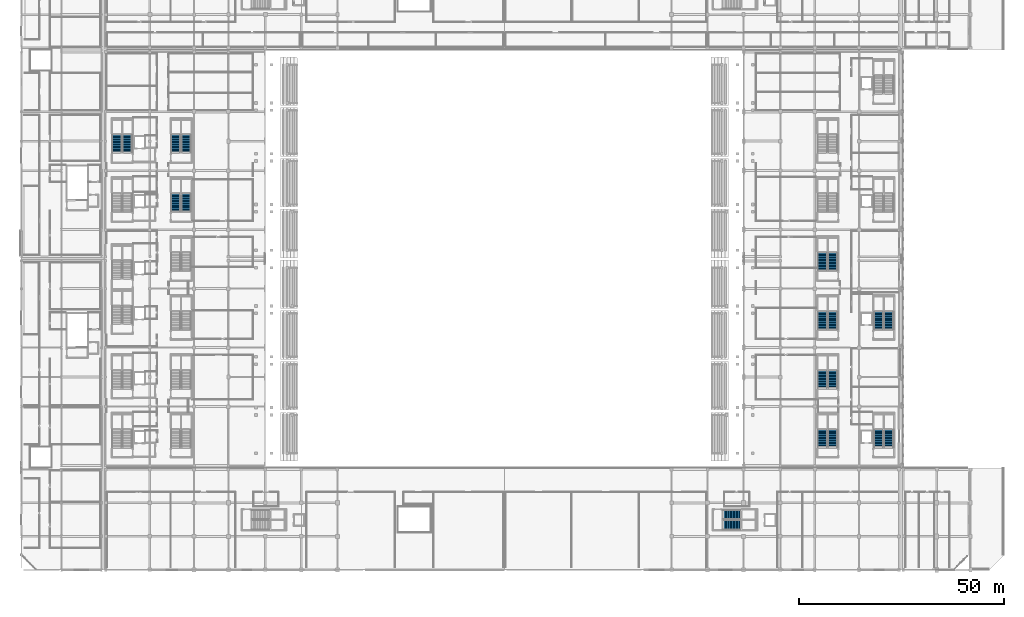
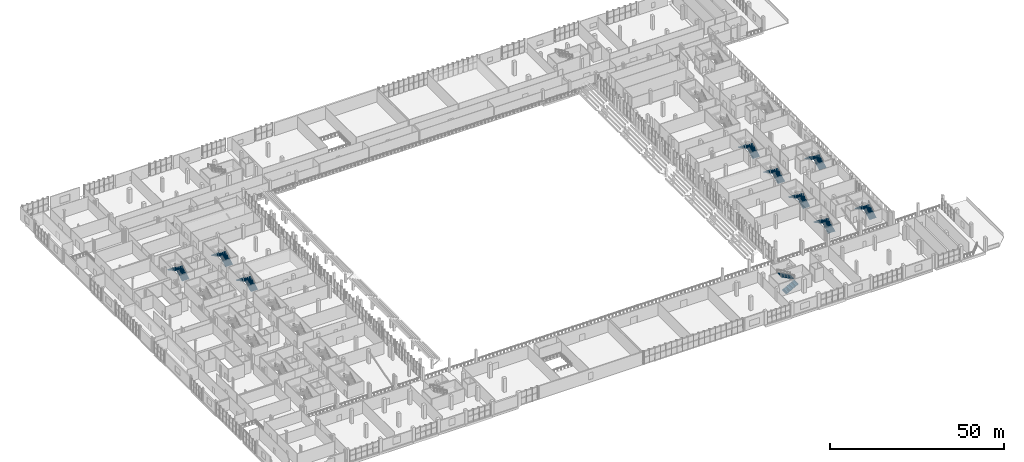
# One storey, part 107 of 142: 20 stair flights, 10 elements without a shape of their own.
"""IFC4 building model written with IfcOpenShell, lengths in metres."""

from ifc_helpers import new_model, si_unit, direction, frame, origin, place, context, subcontext, project, spatial, polyline, outline, extrude, material, type_object, element, aggregate, save


model = new_model("IFC4")

# Units and contexts
model_context = context("Model", 3, precision=1e-05, world=origin(), true_north=direction((0.0, 1.0)))
body_context = subcontext(model_context, "Body", "Model", "MODEL_VIEW")
ifc_project = project(units=[si_unit("LENGTHUNIT", "METRE"), si_unit("AREAUNIT", "SQUARE_METRE"), si_unit("VOLUMEUNIT", "CUBIC_METRE"), si_unit("PLANEANGLEUNIT", "RADIAN"), si_unit("MASSUNIT", "GRAM", prefix="KILO")], contexts=[model_context])

# Site, building, storey
site_placement = place(None, origin())
site = spatial("IfcSite", under=ifc_project, at=site_placement, CompositionType="ELEMENT")
building_placement = place(site_placement, origin())
building = spatial("IfcBuilding", under=site, at=building_placement, Name="Koshinbarg Plaza Stadium", CompositionType="ELEMENT")
storey_placement = place(building_placement, frame((0.0, 0.0, 10.199951171875)))
storey = spatial("IfcBuildingStorey", under=building, at=storey_placement, Name="L02", CompositionType="ELEMENT", Elevation=10.199951171875)

# Stair, stair flights
ifc_material = material(Name="Concrete C35/45", Category="concrete")
stair_type_1 = type_object("IfcStairType", Name="ST-CORE-48", PredefinedType="HALF_TURN_STAIR", material=ifc_material)
stair_1_placement = place(storey_placement, origin())
stair_1 = element("IfcStair", 1, at=stair_1_placement, inside=storey, type_object=stair_type_1, Name="L02 Protected Exit Stair C06", PredefinedType="HALF_TURN_STAIR")
stair_flight_type = type_object("IfcStairFlightType", Name="SFL-CORE-48", PredefinedType="STRAIGHT", material=ifc_material)
stair_flight_1_placement = place(storey_placement, frame((29.889892578125, 101.9599609375, 0.0), z_axis=(0.0, 0.0, 1.0), x_axis=(0.0, 1.0, 0.0)))
stair_flight_1 = element("IfcStairFlight", 2, at=stair_flight_1_placement, type_object=stair_flight_type, Name="L02 Protected Exit Stair C06 flight 065", NumberOfRisers=15, NumberOfTreads=14, PredefinedType="STRAIGHT", RiserHeight=0.16, TreadLength=0.3, context=body_context, shape_type="SweptSolid", body=[
    extrude(outline(polyline([(0.0, 0.0), (0.0, 0.159912109375), (0.300048828125, 0.159912109375), (0.300048828125, 0.320068359375), (0.60009765625, 0.320068359375), (0.60009765625, 0.47998046875), (0.89990234375, 0.47998046875), (0.89990234375, 0.639892578125), (1.199951171875, 0.639892578125), (1.199951171875, 0.800048828125), (1.5, 0.800048828125), (1.5, 0.9599609375), (1.800048828125, 0.9599609375), (1.800048828125, 1.1201171875), (2.10009765625, 1.1201171875), (2.10009765625, 1.280029296875), (2.39990234375, 1.280029296875), (2.39990234375, 1.43994140625), (2.699951171875, 1.43994140625), (2.699951171875, 1.60009765625), (3.0, 1.60009765625), (3.0, 1.760009765625), (3.300048828125, 1.760009765625), (3.300048828125, 1.919921875), (3.60009765625, 1.919921875), (3.60009765625, 2.080078125), (3.89990234375, 2.080078125), (3.89990234375, 2.239990234375), (4.199951171875, 2.239990234375), (4.199951171875, 2.39990234375), (4.199951171875, 2.070068359375), (0.318603515625, 0.0), (0.0, 0.0)])), frame((0.0, 1.18017578125, 0.0), z_axis=(0.0, -1.0, 0.0), x_axis=(1.0, 0.0, 0.0)), (0.0, 0.0, 1.0), 2.360107421875),
])
stair_flight_2_placement = place(storey_placement, frame((27.3798828125, 106.159912109375, 2.400146484375), z_axis=(0.0, 0.0, 1.0), x_axis=(0.0, -1.0, 0.0)))
stair_flight_2 = element("IfcStairFlight", 3, at=stair_flight_2_placement, type_object=stair_flight_type, Name="L02 Protected Exit Stair C06 flight 066", NumberOfRisers=15, NumberOfTreads=14, PredefinedType="STRAIGHT", RiserHeight=0.16, TreadLength=0.3, context=body_context, shape_type="SweptSolid", body=[
    extrude(outline(polyline([(0.0, 0.0), (0.0, 0.159912109375), (0.300048828125, 0.159912109375), (0.300048828125, 0.320068359375), (0.60009765625, 0.320068359375), (0.60009765625, 0.47998046875), (0.89990234375, 0.47998046875), (0.89990234375, 0.639892578125), (1.199951171875, 0.639892578125), (1.199951171875, 0.800048828125), (1.5, 0.800048828125), (1.5, 0.9599609375), (1.800048828125, 0.9599609375), (1.800048828125, 1.1201171875), (2.10009765625, 1.1201171875), (2.10009765625, 1.280029296875), (2.39990234375, 1.280029296875), (2.39990234375, 1.43994140625), (2.699951171875, 1.43994140625), (2.699951171875, 1.60009765625), (3.0, 1.60009765625), (3.0, 1.760009765625), (3.300048828125, 1.760009765625), (3.300048828125, 1.919921875), (3.60009765625, 1.919921875), (3.60009765625, 2.080078125), (3.89990234375, 2.080078125), (3.89990234375, 2.239990234375), (4.199951171875, 2.239990234375), (4.199951171875, 2.39990234375), (4.199951171875, 2.070068359375), (0.318603515625, 0.0), (0.0, 0.0)])), frame((0.0, 1.18017578125, 0.0), z_axis=(0.0, -1.0, 0.0), x_axis=(1.0, 0.0, 0.0)), (0.0, 0.0, 1.0), 2.360107421875),
])
aggregate(stair_1, [stair_flight_1, stair_flight_2])

stair_2_placement = place(storey_placement, origin())
stair_2 = element("IfcStair", 4, at=stair_2_placement, inside=storey, type_object=stair_type_1, Name="L02 Protected Exit Stair C07", PredefinedType="HALF_TURN_STAIR")
stair_flight_3_placement = place(storey_placement, frame((215.889892578125, 29.9599609375, 0.0), z_axis=(0.0, 0.0, 1.0), x_axis=(0.0, 1.0, 0.0)))
stair_flight_3 = element("IfcStairFlight", 5, at=stair_flight_3_placement, type_object=stair_flight_type, Name="L02 Protected Exit Stair C07 flight 077", NumberOfRisers=15, NumberOfTreads=14, PredefinedType="STRAIGHT", RiserHeight=0.16, TreadLength=0.3, context=body_context, shape_type="SweptSolid", body=[
    extrude(outline(polyline([(0.0, 0.0), (0.0, 0.159912109375), (0.300048828125, 0.159912109375), (0.300048828125, 0.320068359375), (0.60009765625, 0.320068359375), (0.60009765625, 0.47998046875), (0.89990234375, 0.47998046875), (0.89990234375, 0.639892578125), (1.199951171875, 0.639892578125), (1.199951171875, 0.800048828125), (1.5, 0.800048828125), (1.5, 0.9599609375), (1.800048828125, 0.9599609375), (1.800048828125, 1.1201171875), (2.10009765625, 1.1201171875), (2.10009765625, 1.280029296875), (2.39990234375, 1.280029296875), (2.39990234375, 1.43994140625), (2.699951171875, 1.43994140625), (2.699951171875, 1.60009765625), (3.0, 1.60009765625), (3.0, 1.760009765625), (3.300048828125, 1.760009765625), (3.300048828125, 1.919921875), (3.60009765625, 1.919921875), (3.60009765625, 2.080078125), (3.89990234375, 2.080078125), (3.89990234375, 2.239990234375), (4.199951171875, 2.239990234375), (4.199951171875, 2.39990234375), (4.199951171875, 2.070068359375), (0.318603515625, 0.0), (0.0, 0.0)])), frame((0.0, 1.18017578125, 0.0), z_axis=(0.0, -1.0, 0.0), x_axis=(1.0, 0.0, 0.0)), (0.0, 0.0, 1.0), 2.360107421875),
])
stair_flight_4_placement = place(storey_placement, frame((213.3798828125, 34.159912109375, 2.400146484375), z_axis=(0.0, 0.0, 1.0), x_axis=(0.0, -1.0, 0.0)))
stair_flight_4 = element("IfcStairFlight", 6, at=stair_flight_4_placement, type_object=stair_flight_type, Name="L02 Protected Exit Stair C07 flight 078", NumberOfRisers=15, NumberOfTreads=14, PredefinedType="STRAIGHT", RiserHeight=0.16, TreadLength=0.3, context=body_context, shape_type="SweptSolid", body=[
    extrude(outline(polyline([(0.0, 0.0), (0.0, 0.159912109375), (0.300048828125, 0.159912109375), (0.300048828125, 0.320068359375), (0.60009765625, 0.320068359375), (0.60009765625, 0.47998046875), (0.89990234375, 0.47998046875), (0.89990234375, 0.639892578125), (1.199951171875, 0.639892578125), (1.199951171875, 0.800048828125), (1.5, 0.800048828125), (1.5, 0.9599609375), (1.800048828125, 0.9599609375), (1.800048828125, 1.1201171875), (2.10009765625, 1.1201171875), (2.10009765625, 1.280029296875), (2.39990234375, 1.280029296875), (2.39990234375, 1.43994140625), (2.699951171875, 1.43994140625), (2.699951171875, 1.60009765625), (3.0, 1.60009765625), (3.0, 1.760009765625), (3.300048828125, 1.760009765625), (3.300048828125, 1.919921875), (3.60009765625, 1.919921875), (3.60009765625, 2.080078125), (3.89990234375, 2.080078125), (3.89990234375, 2.239990234375), (4.199951171875, 2.239990234375), (4.199951171875, 2.39990234375), (4.199951171875, 2.070068359375), (0.318603515625, 0.0), (0.0, 0.0)])), frame((0.0, 1.18017578125, 0.0), z_axis=(0.0, -1.0, 0.0), x_axis=(1.0, 0.0, 0.0)), (0.0, 0.0, 1.0), 2.360107421875),
])
aggregate(stair_2, [stair_flight_3, stair_flight_4])

stair_3_placement = place(storey_placement, origin())
stair_3 = element("IfcStair", 7, at=stair_3_placement, inside=storey, type_object=stair_type_1, Name="L02 Protected Exit Stair C08", PredefinedType="HALF_TURN_STAIR")
stair_flight_5_placement = place(storey_placement, frame((215.889892578125, 58.760009765625, 0.0), z_axis=(0.0, 0.0, 1.0), x_axis=(0.0, 1.0, 0.0)))
stair_flight_5 = element("IfcStairFlight", 8, at=stair_flight_5_placement, type_object=stair_flight_type, Name="L02 Protected Exit Stair C08 flight 087", NumberOfRisers=15, NumberOfTreads=14, PredefinedType="STRAIGHT", RiserHeight=0.16, TreadLength=0.3, context=body_context, shape_type="SweptSolid", body=[
    extrude(outline(polyline([(0.0, 0.0), (0.0, 0.159912109375), (0.300048828125, 0.159912109375), (0.300048828125, 0.320068359375), (0.60009765625, 0.320068359375), (0.60009765625, 0.47998046875), (0.89990234375, 0.47998046875), (0.89990234375, 0.639892578125), (1.199951171875, 0.639892578125), (1.199951171875, 0.800048828125), (1.5, 0.800048828125), (1.5, 0.9599609375), (1.800048828125, 0.9599609375), (1.800048828125, 1.1201171875), (2.10009765625, 1.1201171875), (2.10009765625, 1.280029296875), (2.39990234375, 1.280029296875), (2.39990234375, 1.43994140625), (2.699951171875, 1.43994140625), (2.699951171875, 1.60009765625), (3.0, 1.60009765625), (3.0, 1.760009765625), (3.300048828125, 1.760009765625), (3.300048828125, 1.919921875), (3.60009765625, 1.919921875), (3.60009765625, 2.080078125), (3.89990234375, 2.080078125), (3.89990234375, 2.239990234375), (4.199951171875, 2.239990234375), (4.199951171875, 2.39990234375), (4.199951171875, 2.070068359375), (0.318603515625, 0.0), (0.0, 0.0)])), frame((0.0, 1.18017578125, 0.0), z_axis=(0.0, -1.0, 0.0), x_axis=(1.0, 0.0, 0.0)), (0.0, 0.0, 1.0), 2.360107421875),
])
stair_flight_6_placement = place(storey_placement, frame((213.3798828125, 62.9599609375, 2.400146484375), z_axis=(0.0, 0.0, 1.0), x_axis=(0.0, -1.0, 0.0)))
stair_flight_6 = element("IfcStairFlight", 9, at=stair_flight_6_placement, type_object=stair_flight_type, Name="L02 Protected Exit Stair C08 flight 088", NumberOfRisers=15, NumberOfTreads=14, PredefinedType="STRAIGHT", RiserHeight=0.16, TreadLength=0.3, context=body_context, shape_type="SweptSolid", body=[
    extrude(outline(polyline([(0.0, 0.0), (0.0, 0.159912109375), (0.300048828125, 0.159912109375), (0.300048828125, 0.320068359375), (0.60009765625, 0.320068359375), (0.60009765625, 0.47998046875), (0.89990234375, 0.47998046875), (0.89990234375, 0.639892578125), (1.199951171875, 0.639892578125), (1.199951171875, 0.800048828125), (1.5, 0.800048828125), (1.5, 0.9599609375), (1.800048828125, 0.9599609375), (1.800048828125, 1.1201171875), (2.10009765625, 1.1201171875), (2.10009765625, 1.280029296875), (2.39990234375, 1.280029296875), (2.39990234375, 1.43994140625), (2.699951171875, 1.43994140625), (2.699951171875, 1.60009765625), (3.0, 1.60009765625), (3.0, 1.760009765625), (3.300048828125, 1.760009765625), (3.300048828125, 1.919921875), (3.60009765625, 1.919921875), (3.60009765625, 2.080078125), (3.89990234375, 2.080078125), (3.89990234375, 2.239990234375), (4.199951171875, 2.239990234375), (4.199951171875, 2.39990234375), (4.199951171875, 2.070068359375), (0.318603515625, 0.0), (0.0, 0.0)])), frame((0.0, 1.18017578125, 0.0), z_axis=(0.0, -1.0, 0.0), x_axis=(1.0, 0.0, 0.0)), (0.0, 0.0, 1.0), 2.360107421875),
])
aggregate(stair_3, [stair_flight_5, stair_flight_6])

stair_4_placement = place(storey_placement, origin())
stair_4 = element("IfcStair", 10, at=stair_4_placement, inside=storey, type_object=stair_type_1, Name="L02 Protected Exit Stair C14", PredefinedType="HALF_TURN_STAIR")
stair_flight_7_placement = place(storey_placement, frame((175.360107421875, 10.97998046875, 0.0), z_axis=(0.0, 0.0, 1.0), x_axis=(1.0, 0.0, 0.0)))
stair_flight_7 = element("IfcStairFlight", 11, at=stair_flight_7_placement, type_object=stair_flight_type, Name="L02 Protected Exit Stair C14 flight 137", NumberOfRisers=15, NumberOfTreads=14, PredefinedType="STRAIGHT", RiserHeight=0.16, TreadLength=0.3, context=body_context, shape_type="SweptSolid", body=[
    extrude(outline(polyline([(0.0, 0.0), (0.0, 0.159912109375), (0.300048828125, 0.159912109375), (0.300048828125, 0.320068359375), (0.60009765625, 0.320068359375), (0.60009765625, 0.47998046875), (0.89990234375, 0.47998046875), (0.89990234375, 0.639892578125), (1.199951171875, 0.639892578125), (1.199951171875, 0.800048828125), (1.5, 0.800048828125), (1.5, 0.9599609375), (1.800048828125, 0.9599609375), (1.800048828125, 1.1201171875), (2.10009765625, 1.1201171875), (2.10009765625, 1.280029296875), (2.39990234375, 1.280029296875), (2.39990234375, 1.43994140625), (2.699951171875, 1.43994140625), (2.699951171875, 1.60009765625), (3.0, 1.60009765625), (3.0, 1.760009765625), (3.300048828125, 1.760009765625), (3.300048828125, 1.919921875), (3.60009765625, 1.919921875), (3.60009765625, 2.080078125), (3.89990234375, 2.080078125), (3.89990234375, 2.239990234375), (4.199951171875, 2.239990234375), (4.199951171875, 2.39990234375), (4.199951171875, 2.070068359375), (0.318603515625, 0.0), (0.0, 0.0)])), frame((0.0, 1.18017578125, 0.0), z_axis=(0.0, -1.0, 0.0), x_axis=(1.0, 0.0, 0.0)), (0.0, 0.0, 1.0), 2.360107421875),
])
stair_flight_8_placement = place(storey_placement, frame((179.56005859375, 13.489990234375, 2.400146484375), z_axis=(0.0, 0.0, 1.0), x_axis=(-1.0, 0.0, 0.0)))
stair_flight_8 = element("IfcStairFlight", 12, at=stair_flight_8_placement, type_object=stair_flight_type, Name="L02 Protected Exit Stair C14 flight 138", NumberOfRisers=15, NumberOfTreads=14, PredefinedType="STRAIGHT", RiserHeight=0.16, TreadLength=0.3, context=body_context, shape_type="SweptSolid", body=[
    extrude(outline(polyline([(0.0, 0.0), (0.0, 0.159912109375), (0.300048828125, 0.159912109375), (0.300048828125, 0.320068359375), (0.60009765625, 0.320068359375), (0.60009765625, 0.47998046875), (0.89990234375, 0.47998046875), (0.89990234375, 0.639892578125), (1.199951171875, 0.639892578125), (1.199951171875, 0.800048828125), (1.5, 0.800048828125), (1.5, 0.9599609375), (1.800048828125, 0.9599609375), (1.800048828125, 1.1201171875), (2.10009765625, 1.1201171875), (2.10009765625, 1.280029296875), (2.39990234375, 1.280029296875), (2.39990234375, 1.43994140625), (2.699951171875, 1.43994140625), (2.699951171875, 1.60009765625), (3.0, 1.60009765625), (3.0, 1.760009765625), (3.300048828125, 1.760009765625), (3.300048828125, 1.919921875), (3.60009765625, 1.919921875), (3.60009765625, 2.080078125), (3.89990234375, 2.080078125), (3.89990234375, 2.239990234375), (4.199951171875, 2.239990234375), (4.199951171875, 2.39990234375), (4.199951171875, 2.070068359375), (0.318603515625, 0.0), (0.0, 0.0)])), frame((0.0, 1.18017578125, 0.0), z_axis=(0.0, -1.0, 0.0), x_axis=(1.0, 0.0, 0.0)), (0.0, 0.0, 1.0), 2.360107421875),
])
aggregate(stair_4, [stair_flight_7, stair_flight_8])

stair_type_2 = type_object("IfcStairType", Name="ST-VOM-48", PredefinedType="HALF_TURN_STAIR", material=ifc_material)
stair_5_placement = place(storey_placement, origin())
stair_5 = element("IfcStair", 13, at=stair_5_placement, inside=storey, type_object=stair_type_2, Name="L02 Upper Vomitory Stair VX05", PredefinedType="HALF_TURN_STAIR")
stair_flight_9_placement = place(storey_placement, frame((44.2900390625, 87.56005859375, 0.0), z_axis=(0.0, 0.0, 1.0), x_axis=(0.0, 1.0, 0.0)))
stair_flight_9 = element("IfcStairFlight", 14, at=stair_flight_9_placement, type_object=stair_flight_type, Name="L02 Upper Vomitory Stair VX05 flight 177", NumberOfRisers=15, NumberOfTreads=14, PredefinedType="STRAIGHT", RiserHeight=0.16, TreadLength=0.3, context=body_context, shape_type="SweptSolid", body=[
    extrude(outline(polyline([(0.0, 0.0), (0.0, 0.159912109375), (0.300048828125, 0.159912109375), (0.300048828125, 0.320068359375), (0.60009765625, 0.320068359375), (0.60009765625, 0.47998046875), (0.89990234375, 0.47998046875), (0.89990234375, 0.639892578125), (1.199951171875, 0.639892578125), (1.199951171875, 0.800048828125), (1.5, 0.800048828125), (1.5, 0.9599609375), (1.800048828125, 0.9599609375), (1.800048828125, 1.1201171875), (2.10009765625, 1.1201171875), (2.10009765625, 1.280029296875), (2.39990234375, 1.280029296875), (2.39990234375, 1.43994140625), (2.699951171875, 1.43994140625), (2.699951171875, 1.60009765625), (3.0, 1.60009765625), (3.0, 1.760009765625), (3.300048828125, 1.760009765625), (3.300048828125, 1.919921875), (3.60009765625, 1.919921875), (3.60009765625, 2.080078125), (3.89990234375, 2.080078125), (3.89990234375, 2.239990234375), (4.199951171875, 2.239990234375), (4.199951171875, 2.39990234375), (4.199951171875, 2.070068359375), (0.318603515625, 0.0), (0.0, 0.0)])), frame((0.0, 1.18017578125, 0.0), z_axis=(0.0, -1.0, 0.0), x_axis=(1.0, 0.0, 0.0)), (0.0, 0.0, 1.0), 2.360107421875),
])
stair_flight_10_placement = place(storey_placement, frame((41.780029296875, 91.760009765625, 2.400146484375), z_axis=(0.0, 0.0, 1.0), x_axis=(0.0, -1.0, 0.0)))
stair_flight_10 = element("IfcStairFlight", 15, at=stair_flight_10_placement, type_object=stair_flight_type, Name="L02 Upper Vomitory Stair VX05 flight 178", NumberOfRisers=15, NumberOfTreads=14, PredefinedType="STRAIGHT", RiserHeight=0.16, TreadLength=0.3, context=body_context, shape_type="SweptSolid", body=[
    extrude(outline(polyline([(0.0, 0.0), (0.0, 0.159912109375), (0.300048828125, 0.159912109375), (0.300048828125, 0.320068359375), (0.60009765625, 0.320068359375), (0.60009765625, 0.47998046875), (0.89990234375, 0.47998046875), (0.89990234375, 0.639892578125), (1.199951171875, 0.639892578125), (1.199951171875, 0.800048828125), (1.5, 0.800048828125), (1.5, 0.9599609375), (1.800048828125, 0.9599609375), (1.800048828125, 1.1201171875), (2.10009765625, 1.1201171875), (2.10009765625, 1.280029296875), (2.39990234375, 1.280029296875), (2.39990234375, 1.43994140625), (2.699951171875, 1.43994140625), (2.699951171875, 1.60009765625), (3.0, 1.60009765625), (3.0, 1.760009765625), (3.300048828125, 1.760009765625), (3.300048828125, 1.919921875), (3.60009765625, 1.919921875), (3.60009765625, 2.080078125), (3.89990234375, 2.080078125), (3.89990234375, 2.239990234375), (4.199951171875, 2.239990234375), (4.199951171875, 2.39990234375), (4.199951171875, 2.070068359375), (0.318603515625, 0.0), (0.0, 0.0)])), frame((0.0, 1.18017578125, 0.0), z_axis=(0.0, -1.0, 0.0), x_axis=(1.0, 0.0, 0.0)), (0.0, 0.0, 1.0), 2.360107421875),
])
aggregate(stair_5, [stair_flight_9, stair_flight_10])

stair_6_placement = place(storey_placement, origin())
stair_6 = element("IfcStair", 16, at=stair_6_placement, inside=storey, type_object=stair_type_2, Name="L02 Upper Vomitory Stair VX06", PredefinedType="HALF_TURN_STAIR")
stair_flight_11_placement = place(storey_placement, frame((44.2900390625, 101.9599609375, 0.0), z_axis=(0.0, 0.0, 1.0), x_axis=(0.0, 1.0, 0.0)))
stair_flight_11 = element("IfcStairFlight", 17, at=stair_flight_11_placement, type_object=stair_flight_type, Name="L02 Upper Vomitory Stair VX06 flight 183", NumberOfRisers=15, NumberOfTreads=14, PredefinedType="STRAIGHT", RiserHeight=0.16, TreadLength=0.3, context=body_context, shape_type="SweptSolid", body=[
    extrude(outline(polyline([(0.0, 0.0), (0.0, 0.159912109375), (0.300048828125, 0.159912109375), (0.300048828125, 0.320068359375), (0.60009765625, 0.320068359375), (0.60009765625, 0.47998046875), (0.89990234375, 0.47998046875), (0.89990234375, 0.639892578125), (1.199951171875, 0.639892578125), (1.199951171875, 0.800048828125), (1.5, 0.800048828125), (1.5, 0.9599609375), (1.800048828125, 0.9599609375), (1.800048828125, 1.1201171875), (2.10009765625, 1.1201171875), (2.10009765625, 1.280029296875), (2.39990234375, 1.280029296875), (2.39990234375, 1.43994140625), (2.699951171875, 1.43994140625), (2.699951171875, 1.60009765625), (3.0, 1.60009765625), (3.0, 1.760009765625), (3.300048828125, 1.760009765625), (3.300048828125, 1.919921875), (3.60009765625, 1.919921875), (3.60009765625, 2.080078125), (3.89990234375, 2.080078125), (3.89990234375, 2.239990234375), (4.199951171875, 2.239990234375), (4.199951171875, 2.39990234375), (4.199951171875, 2.070068359375), (0.318603515625, 0.0), (0.0, 0.0)])), frame((0.0, 1.18017578125, 0.0), z_axis=(0.0, -1.0, 0.0), x_axis=(1.0, 0.0, 0.0)), (0.0, 0.0, 1.0), 2.360107421875),
])
stair_flight_12_placement = place(storey_placement, frame((41.780029296875, 106.159912109375, 2.400146484375), z_axis=(0.0, 0.0, 1.0), x_axis=(0.0, -1.0, 0.0)))
stair_flight_12 = element("IfcStairFlight", 18, at=stair_flight_12_placement, type_object=stair_flight_type, Name="L02 Upper Vomitory Stair VX06 flight 184", NumberOfRisers=15, NumberOfTreads=14, PredefinedType="STRAIGHT", RiserHeight=0.16, TreadLength=0.3, context=body_context, shape_type="SweptSolid", body=[
    extrude(outline(polyline([(0.0, 0.0), (0.0, 0.159912109375), (0.300048828125, 0.159912109375), (0.300048828125, 0.320068359375), (0.60009765625, 0.320068359375), (0.60009765625, 0.47998046875), (0.89990234375, 0.47998046875), (0.89990234375, 0.639892578125), (1.199951171875, 0.639892578125), (1.199951171875, 0.800048828125), (1.5, 0.800048828125), (1.5, 0.9599609375), (1.800048828125, 0.9599609375), (1.800048828125, 1.1201171875), (2.10009765625, 1.1201171875), (2.10009765625, 1.280029296875), (2.39990234375, 1.280029296875), (2.39990234375, 1.43994140625), (2.699951171875, 1.43994140625), (2.699951171875, 1.60009765625), (3.0, 1.60009765625), (3.0, 1.760009765625), (3.300048828125, 1.760009765625), (3.300048828125, 1.919921875), (3.60009765625, 1.919921875), (3.60009765625, 2.080078125), (3.89990234375, 2.080078125), (3.89990234375, 2.239990234375), (4.199951171875, 2.239990234375), (4.199951171875, 2.39990234375), (4.199951171875, 2.070068359375), (0.318603515625, 0.0), (0.0, 0.0)])), frame((0.0, 1.18017578125, 0.0), z_axis=(0.0, -1.0, 0.0), x_axis=(1.0, 0.0, 0.0)), (0.0, 0.0, 1.0), 2.360107421875),
])
aggregate(stair_6, [stair_flight_11, stair_flight_12])

stair_7_placement = place(storey_placement, origin())
stair_7 = element("IfcStair", 19, at=stair_7_placement, inside=storey, type_object=stair_type_2, Name="L02 Upper Vomitory Stair VX07", PredefinedType="HALF_TURN_STAIR")
stair_flight_13_placement = place(storey_placement, frame((202.18994140625, 29.9599609375, 0.0), z_axis=(0.0, 0.0, 1.0), x_axis=(0.0, 1.0, 0.0)))
stair_flight_13 = element("IfcStairFlight", 20, at=stair_flight_13_placement, type_object=stair_flight_type, Name="L02 Upper Vomitory Stair VX07 flight 189", NumberOfRisers=15, NumberOfTreads=14, PredefinedType="STRAIGHT", RiserHeight=0.16, TreadLength=0.3, context=body_context, shape_type="SweptSolid", body=[
    extrude(outline(polyline([(0.0, 0.0), (0.0, 0.159912109375), (0.300048828125, 0.159912109375), (0.300048828125, 0.320068359375), (0.60009765625, 0.320068359375), (0.60009765625, 0.47998046875), (0.89990234375, 0.47998046875), (0.89990234375, 0.639892578125), (1.199951171875, 0.639892578125), (1.199951171875, 0.800048828125), (1.5, 0.800048828125), (1.5, 0.9599609375), (1.800048828125, 0.9599609375), (1.800048828125, 1.1201171875), (2.10009765625, 1.1201171875), (2.10009765625, 1.280029296875), (2.39990234375, 1.280029296875), (2.39990234375, 1.43994140625), (2.699951171875, 1.43994140625), (2.699951171875, 1.60009765625), (3.0, 1.60009765625), (3.0, 1.760009765625), (3.300048828125, 1.760009765625), (3.300048828125, 1.919921875), (3.60009765625, 1.919921875), (3.60009765625, 2.080078125), (3.89990234375, 2.080078125), (3.89990234375, 2.239990234375), (4.199951171875, 2.239990234375), (4.199951171875, 2.39990234375), (4.199951171875, 2.070068359375), (0.318603515625, 0.0), (0.0, 0.0)])), frame((0.0, 1.18017578125, 0.0), z_axis=(0.0, -1.0, 0.0), x_axis=(1.0, 0.0, 0.0)), (0.0, 0.0, 1.0), 2.360107421875),
])
stair_flight_14_placement = place(storey_placement, frame((199.679931640625, 34.159912109375, 2.400146484375), z_axis=(0.0, 0.0, 1.0), x_axis=(0.0, -1.0, 0.0)))
stair_flight_14 = element("IfcStairFlight", 21, at=stair_flight_14_placement, type_object=stair_flight_type, Name="L02 Upper Vomitory Stair VX07 flight 190", NumberOfRisers=15, NumberOfTreads=14, PredefinedType="STRAIGHT", RiserHeight=0.16, TreadLength=0.3, context=body_context, shape_type="SweptSolid", body=[
    extrude(outline(polyline([(0.0, 0.0), (0.0, 0.159912109375), (0.300048828125, 0.159912109375), (0.300048828125, 0.320068359375), (0.60009765625, 0.320068359375), (0.60009765625, 0.47998046875), (0.89990234375, 0.47998046875), (0.89990234375, 0.639892578125), (1.199951171875, 0.639892578125), (1.199951171875, 0.800048828125), (1.5, 0.800048828125), (1.5, 0.9599609375), (1.800048828125, 0.9599609375), (1.800048828125, 1.1201171875), (2.10009765625, 1.1201171875), (2.10009765625, 1.280029296875), (2.39990234375, 1.280029296875), (2.39990234375, 1.43994140625), (2.699951171875, 1.43994140625), (2.699951171875, 1.60009765625), (3.0, 1.60009765625), (3.0, 1.760009765625), (3.300048828125, 1.760009765625), (3.300048828125, 1.919921875), (3.60009765625, 1.919921875), (3.60009765625, 2.080078125), (3.89990234375, 2.080078125), (3.89990234375, 2.239990234375), (4.199951171875, 2.239990234375), (4.199951171875, 2.39990234375), (4.199951171875, 2.070068359375), (0.318603515625, 0.0), (0.0, 0.0)])), frame((0.0, 1.18017578125, 0.0), z_axis=(0.0, -1.0, 0.0), x_axis=(1.0, 0.0, 0.0)), (0.0, 0.0, 1.0), 2.360107421875),
])
aggregate(stair_7, [stair_flight_13, stair_flight_14])

stair_8_placement = place(storey_placement, origin())
stair_8 = element("IfcStair", 22, at=stair_8_placement, inside=storey, type_object=stair_type_2, Name="L02 Upper Vomitory Stair VX08", PredefinedType="HALF_TURN_STAIR")
stair_flight_15_placement = place(storey_placement, frame((202.18994140625, 44.360107421875, 0.0), z_axis=(0.0, 0.0, 1.0), x_axis=(0.0, 1.0, 0.0)))
stair_flight_15 = element("IfcStairFlight", 23, at=stair_flight_15_placement, type_object=stair_flight_type, Name="L02 Upper Vomitory Stair VX08 flight 195", NumberOfRisers=15, NumberOfTreads=14, PredefinedType="STRAIGHT", RiserHeight=0.16, TreadLength=0.3, context=body_context, shape_type="SweptSolid", body=[
    extrude(outline(polyline([(0.0, 0.0), (0.0, 0.159912109375), (0.300048828125, 0.159912109375), (0.300048828125, 0.320068359375), (0.60009765625, 0.320068359375), (0.60009765625, 0.47998046875), (0.89990234375, 0.47998046875), (0.89990234375, 0.639892578125), (1.199951171875, 0.639892578125), (1.199951171875, 0.800048828125), (1.5, 0.800048828125), (1.5, 0.9599609375), (1.800048828125, 0.9599609375), (1.800048828125, 1.1201171875), (2.10009765625, 1.1201171875), (2.10009765625, 1.280029296875), (2.39990234375, 1.280029296875), (2.39990234375, 1.43994140625), (2.699951171875, 1.43994140625), (2.699951171875, 1.60009765625), (3.0, 1.60009765625), (3.0, 1.760009765625), (3.300048828125, 1.760009765625), (3.300048828125, 1.919921875), (3.60009765625, 1.919921875), (3.60009765625, 2.080078125), (3.89990234375, 2.080078125), (3.89990234375, 2.239990234375), (4.199951171875, 2.239990234375), (4.199951171875, 2.39990234375), (4.199951171875, 2.070068359375), (0.318603515625, 0.0), (0.0, 0.0)])), frame((0.0, 1.18017578125, 0.0), z_axis=(0.0, -1.0, 0.0), x_axis=(1.0, 0.0, 0.0)), (0.0, 0.0, 1.0), 2.360107421875),
])
stair_flight_16_placement = place(storey_placement, frame((199.679931640625, 48.56005859375, 2.400146484375), z_axis=(0.0, 0.0, 1.0), x_axis=(0.0, -1.0, 0.0)))
stair_flight_16 = element("IfcStairFlight", 24, at=stair_flight_16_placement, type_object=stair_flight_type, Name="L02 Upper Vomitory Stair VX08 flight 196", NumberOfRisers=15, NumberOfTreads=14, PredefinedType="STRAIGHT", RiserHeight=0.16, TreadLength=0.3, context=body_context, shape_type="SweptSolid", body=[
    extrude(outline(polyline([(0.0, 0.0), (0.0, 0.159912109375), (0.300048828125, 0.159912109375), (0.300048828125, 0.320068359375), (0.60009765625, 0.320068359375), (0.60009765625, 0.47998046875), (0.89990234375, 0.47998046875), (0.89990234375, 0.639892578125), (1.199951171875, 0.639892578125), (1.199951171875, 0.800048828125), (1.5, 0.800048828125), (1.5, 0.9599609375), (1.800048828125, 0.9599609375), (1.800048828125, 1.1201171875), (2.10009765625, 1.1201171875), (2.10009765625, 1.280029296875), (2.39990234375, 1.280029296875), (2.39990234375, 1.43994140625), (2.699951171875, 1.43994140625), (2.699951171875, 1.60009765625), (3.0, 1.60009765625), (3.0, 1.760009765625), (3.300048828125, 1.760009765625), (3.300048828125, 1.919921875), (3.60009765625, 1.919921875), (3.60009765625, 2.080078125), (3.89990234375, 2.080078125), (3.89990234375, 2.239990234375), (4.199951171875, 2.239990234375), (4.199951171875, 2.39990234375), (4.199951171875, 2.070068359375), (0.318603515625, 0.0), (0.0, 0.0)])), frame((0.0, 1.18017578125, 0.0), z_axis=(0.0, -1.0, 0.0), x_axis=(1.0, 0.0, 0.0)), (0.0, 0.0, 1.0), 2.360107421875),
])
aggregate(stair_8, [stair_flight_15, stair_flight_16])

stair_9_placement = place(storey_placement, origin())
stair_9 = element("IfcStair", 25, at=stair_9_placement, inside=storey, type_object=stair_type_2, Name="L02 Upper Vomitory Stair VX09", PredefinedType="HALF_TURN_STAIR")
stair_flight_17_placement = place(storey_placement, frame((202.18994140625, 58.760009765625, 0.0), z_axis=(0.0, 0.0, 1.0), x_axis=(0.0, 1.0, 0.0)))
stair_flight_17 = element("IfcStairFlight", 26, at=stair_flight_17_placement, type_object=stair_flight_type, Name="L02 Upper Vomitory Stair VX09 flight 201", NumberOfRisers=15, NumberOfTreads=14, PredefinedType="STRAIGHT", RiserHeight=0.16, TreadLength=0.3, context=body_context, shape_type="SweptSolid", body=[
    extrude(outline(polyline([(0.0, 0.0), (0.0, 0.159912109375), (0.300048828125, 0.159912109375), (0.300048828125, 0.320068359375), (0.60009765625, 0.320068359375), (0.60009765625, 0.47998046875), (0.89990234375, 0.47998046875), (0.89990234375, 0.639892578125), (1.199951171875, 0.639892578125), (1.199951171875, 0.800048828125), (1.5, 0.800048828125), (1.5, 0.9599609375), (1.800048828125, 0.9599609375), (1.800048828125, 1.1201171875), (2.10009765625, 1.1201171875), (2.10009765625, 1.280029296875), (2.39990234375, 1.280029296875), (2.39990234375, 1.43994140625), (2.699951171875, 1.43994140625), (2.699951171875, 1.60009765625), (3.0, 1.60009765625), (3.0, 1.760009765625), (3.300048828125, 1.760009765625), (3.300048828125, 1.919921875), (3.60009765625, 1.919921875), (3.60009765625, 2.080078125), (3.89990234375, 2.080078125), (3.89990234375, 2.239990234375), (4.199951171875, 2.239990234375), (4.199951171875, 2.39990234375), (4.199951171875, 2.070068359375), (0.318603515625, 0.0), (0.0, 0.0)])), frame((0.0, 1.18017578125, 0.0), z_axis=(0.0, -1.0, 0.0), x_axis=(1.0, 0.0, 0.0)), (0.0, 0.0, 1.0), 2.360107421875),
])
stair_flight_18_placement = place(storey_placement, frame((199.679931640625, 62.9599609375, 2.400146484375), z_axis=(0.0, 0.0, 1.0), x_axis=(0.0, -1.0, 0.0)))
stair_flight_18 = element("IfcStairFlight", 27, at=stair_flight_18_placement, type_object=stair_flight_type, Name="L02 Upper Vomitory Stair VX09 flight 202", NumberOfRisers=15, NumberOfTreads=14, PredefinedType="STRAIGHT", RiserHeight=0.16, TreadLength=0.3, context=body_context, shape_type="SweptSolid", body=[
    extrude(outline(polyline([(0.0, 0.0), (0.0, 0.159912109375), (0.300048828125, 0.159912109375), (0.300048828125, 0.320068359375), (0.60009765625, 0.320068359375), (0.60009765625, 0.47998046875), (0.89990234375, 0.47998046875), (0.89990234375, 0.639892578125), (1.199951171875, 0.639892578125), (1.199951171875, 0.800048828125), (1.5, 0.800048828125), (1.5, 0.9599609375), (1.800048828125, 0.9599609375), (1.800048828125, 1.1201171875), (2.10009765625, 1.1201171875), (2.10009765625, 1.280029296875), (2.39990234375, 1.280029296875), (2.39990234375, 1.43994140625), (2.699951171875, 1.43994140625), (2.699951171875, 1.60009765625), (3.0, 1.60009765625), (3.0, 1.760009765625), (3.300048828125, 1.760009765625), (3.300048828125, 1.919921875), (3.60009765625, 1.919921875), (3.60009765625, 2.080078125), (3.89990234375, 2.080078125), (3.89990234375, 2.239990234375), (4.199951171875, 2.239990234375), (4.199951171875, 2.39990234375), (4.199951171875, 2.070068359375), (0.318603515625, 0.0), (0.0, 0.0)])), frame((0.0, 1.18017578125, 0.0), z_axis=(0.0, -1.0, 0.0), x_axis=(1.0, 0.0, 0.0)), (0.0, 0.0, 1.0), 2.360107421875),
])
aggregate(stair_9, [stair_flight_17, stair_flight_18])

stair_10_placement = place(storey_placement, origin())
stair_10 = element("IfcStair", 28, at=stair_10_placement, inside=storey, type_object=stair_type_2, Name="L02 Upper Vomitory Stair VX10", PredefinedType="HALF_TURN_STAIR")
stair_flight_19_placement = place(storey_placement, frame((202.18994140625, 73.159912109375, 0.0), z_axis=(0.0, 0.0, 1.0), x_axis=(0.0, 1.0, 0.0)))
stair_flight_19 = element("IfcStairFlight", 29, at=stair_flight_19_placement, type_object=stair_flight_type, Name="L02 Upper Vomitory Stair VX10 flight 207", NumberOfRisers=15, NumberOfTreads=14, PredefinedType="STRAIGHT", RiserHeight=0.16, TreadLength=0.3, context=body_context, shape_type="SweptSolid", body=[
    extrude(outline(polyline([(0.0, 0.0), (0.0, 0.159912109375), (0.300048828125, 0.159912109375), (0.300048828125, 0.320068359375), (0.60009765625, 0.320068359375), (0.60009765625, 0.47998046875), (0.89990234375, 0.47998046875), (0.89990234375, 0.639892578125), (1.199951171875, 0.639892578125), (1.199951171875, 0.800048828125), (1.5, 0.800048828125), (1.5, 0.9599609375), (1.800048828125, 0.9599609375), (1.800048828125, 1.1201171875), (2.10009765625, 1.1201171875), (2.10009765625, 1.280029296875), (2.39990234375, 1.280029296875), (2.39990234375, 1.43994140625), (2.699951171875, 1.43994140625), (2.699951171875, 1.60009765625), (3.0, 1.60009765625), (3.0, 1.760009765625), (3.300048828125, 1.760009765625), (3.300048828125, 1.919921875), (3.60009765625, 1.919921875), (3.60009765625, 2.080078125), (3.89990234375, 2.080078125), (3.89990234375, 2.239990234375), (4.199951171875, 2.239990234375), (4.199951171875, 2.39990234375), (4.199951171875, 2.070068359375), (0.318603515625, 0.0), (0.0, 0.0)])), frame((0.0, 1.18017578125, 0.0), z_axis=(0.0, -1.0, 0.0), x_axis=(1.0, 0.0, 0.0)), (0.0, 0.0, 1.0), 2.360107421875),
])
stair_flight_20_placement = place(storey_placement, frame((199.679931640625, 77.360107421875, 2.400146484375), z_axis=(0.0, 0.0, 1.0), x_axis=(0.0, -1.0, 0.0)))
stair_flight_20 = element("IfcStairFlight", 30, at=stair_flight_20_placement, type_object=stair_flight_type, Name="L02 Upper Vomitory Stair VX10 flight 208", NumberOfRisers=15, NumberOfTreads=14, PredefinedType="STRAIGHT", RiserHeight=0.16, TreadLength=0.3, context=body_context, shape_type="SweptSolid", body=[
    extrude(outline(polyline([(0.0, 0.0), (0.0, 0.159912109375), (0.300048828125, 0.159912109375), (0.300048828125, 0.320068359375), (0.60009765625, 0.320068359375), (0.60009765625, 0.47998046875), (0.89990234375, 0.47998046875), (0.89990234375, 0.639892578125), (1.199951171875, 0.639892578125), (1.199951171875, 0.800048828125), (1.5, 0.800048828125), (1.5, 0.9599609375), (1.800048828125, 0.9599609375), (1.800048828125, 1.1201171875), (2.10009765625, 1.1201171875), (2.10009765625, 1.280029296875), (2.39990234375, 1.280029296875), (2.39990234375, 1.43994140625), (2.699951171875, 1.43994140625), (2.699951171875, 1.60009765625), (3.0, 1.60009765625), (3.0, 1.760009765625), (3.300048828125, 1.760009765625), (3.300048828125, 1.919921875), (3.60009765625, 1.919921875), (3.60009765625, 2.080078125), (3.89990234375, 2.080078125), (3.89990234375, 2.239990234375), (4.199951171875, 2.239990234375), (4.199951171875, 2.39990234375), (4.199951171875, 2.070068359375), (0.318603515625, 0.0), (0.0, 0.0)])), frame((0.0, 1.18017578125, 0.0), z_axis=(0.0, -1.0, 0.0), x_axis=(1.0, 0.0, 0.0)), (0.0, 0.0, 1.0), 2.360107421875),
])
aggregate(stair_10, [stair_flight_19, stair_flight_20])

save(model, "model.ifc")
